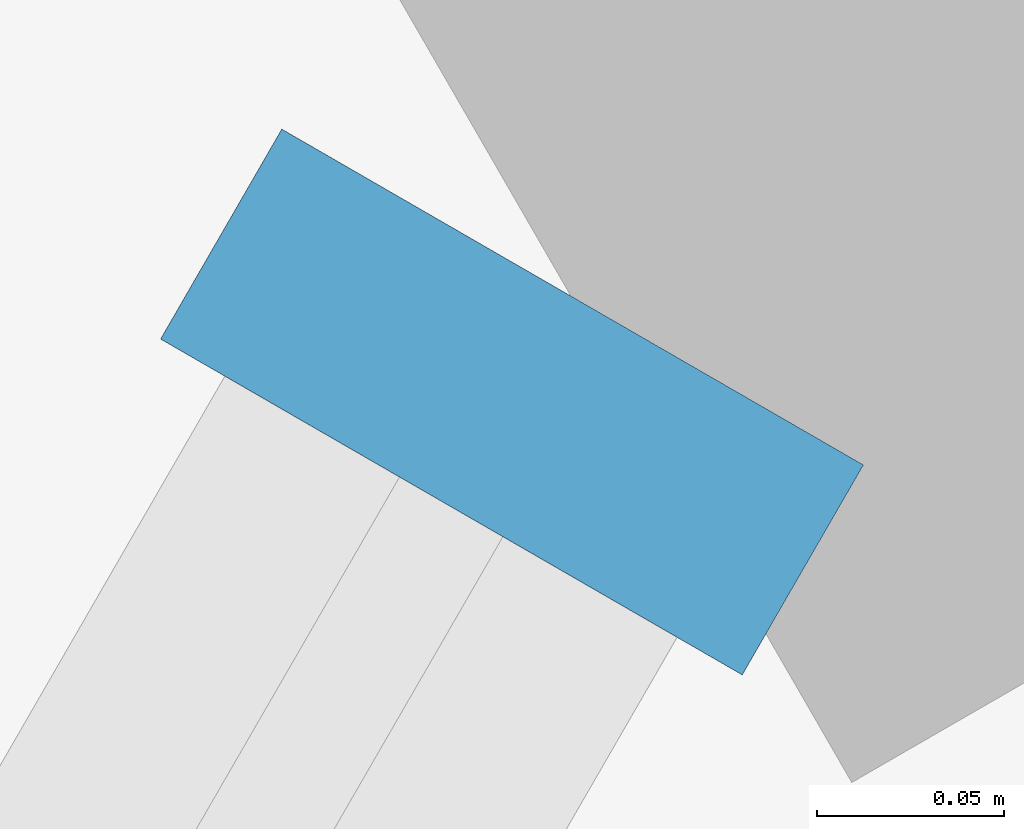
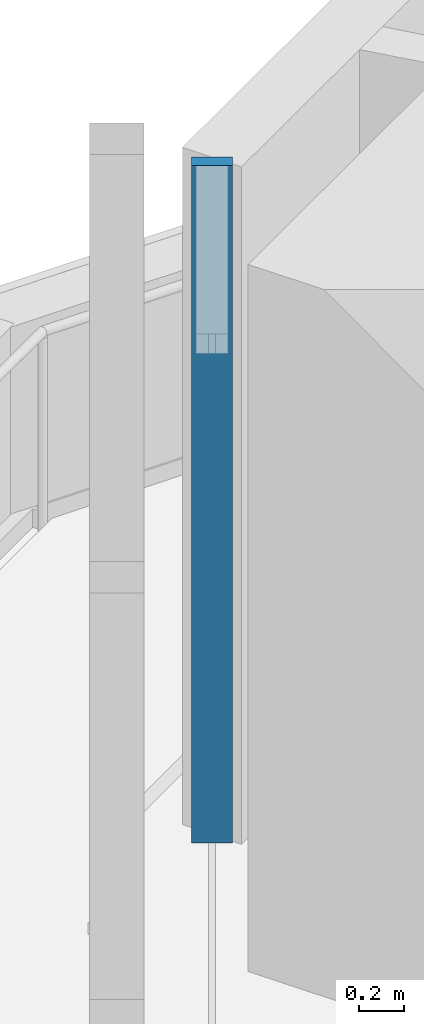
# One storey, part 146 of 238: 1 member, 1 element without a shape of its own.
"""IFC4 building model written with IfcOpenShell, lengths in metres."""

from ifc_helpers import new_model, si_unit, direction, frame, origin, origin_2d, place, context, subcontext, project, spatial, rectangle, extrude, material, material_profile, profile_set, type_object, element, aggregate, save


model = new_model("IFC4")

# Units and contexts
model_context = context("Model", 3, precision=1e-05, world=origin(), true_north=direction((0.0, 1.0)))
body_context = subcontext(model_context, "Body", "Model", "MODEL_VIEW")
ifc_project = project(units=[si_unit("LENGTHUNIT", "METRE"), si_unit("AREAUNIT", "SQUARE_METRE"), si_unit("VOLUMEUNIT", "CUBIC_METRE"), si_unit("PLANEANGLEUNIT", "RADIAN"), si_unit("MASSUNIT", "GRAM", prefix="KILO")], contexts=[model_context])

# Site, building, storey
site_placement = place(None, origin())
site = spatial("IfcSite", under=ifc_project, at=site_placement, CompositionType="ELEMENT")
building_placement = place(site_placement, origin())
building = spatial("IfcBuilding", under=site, at=building_placement, Name="Sandreach Pilgrim Tower", CompositionType="ELEMENT")
storey_placement = place(building_placement, frame((0.0, 0.0, 96.800048828125)))
storey = spatial("IfcBuildingStorey", under=building, at=storey_placement, Name="L23", CompositionType="ELEMENT", Elevation=96.800048828125)

# Curtain wall, member
ifc_material_1 = material(Name="Aluminium framed curtain wall", Category="aluminium")
curtain_wall_type = type_object("IfcCurtainWallType", Name="Hotel tower curtain wall", PredefinedType="NOTDEFINED", material=ifc_material_1)
curtain_wall_placement = place(storey_placement, origin())
curtain_wall = element("IfcCurtainWall", 1, at=curtain_wall_placement, inside=storey, type_object=curtain_wall_type, Name="CW-2 L23 NW", PredefinedType="NOTDEFINED")
ifc_material_2 = material(Name="Aluminium extrusion", Category="aluminium")
ifc_material_profile = material_profile(ifc_material_2, rectangle(XDim=0.06494140625, YDim=0.179931640625, at=origin_2d()), Name="CW-2M 65X180")
ifc_profile_set = profile_set([ifc_material_profile], Name="Aluminium extrusion")
member_type = type_object("IfcMemberType", Name="CW-2 mullion", PredefinedType="MULLION", material=ifc_profile_set)
member_placement = place(storey_placement, frame((-20.125732421875, 21.525634765625, 0.0), z_axis=(0.0, 0.0, 1.0), x_axis=(0.5, 0.866025403784, 0.0)))
member = element("IfcMember", 2, at=member_placement, type_object=member_type, Name="CW-2 mullion 5", PredefinedType="MULLION", context=body_context, shape_type="SweptSolid", body=[
    extrude(rectangle(XDim=0.06494140625, YDim=0.179931640625, at=origin_2d()), origin(), (0.0, 0.0, 1.0), 3.639892578125),
])
aggregate(curtain_wall, [member])

save(model, "model.ifc")
